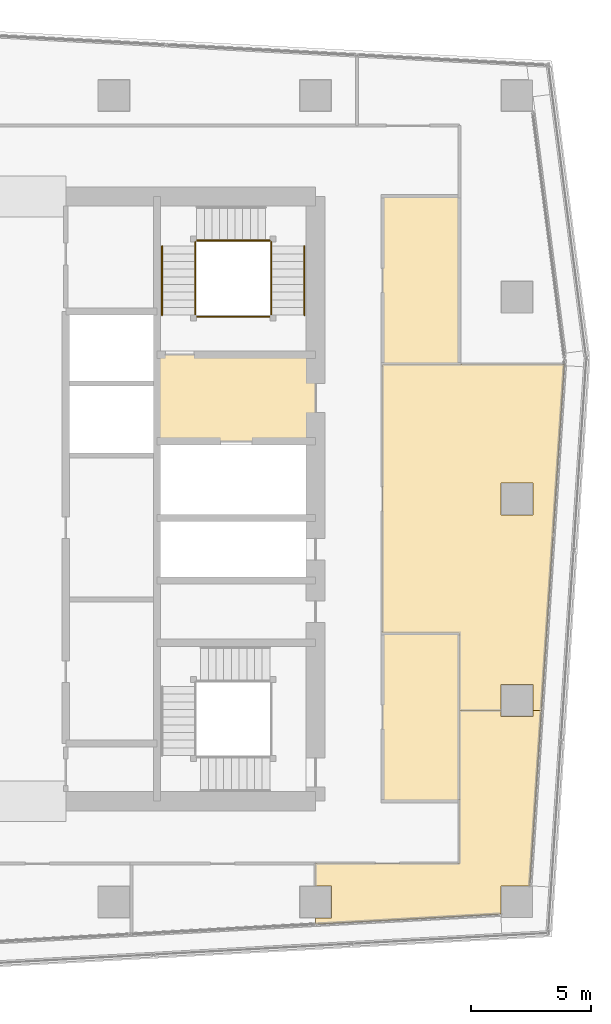
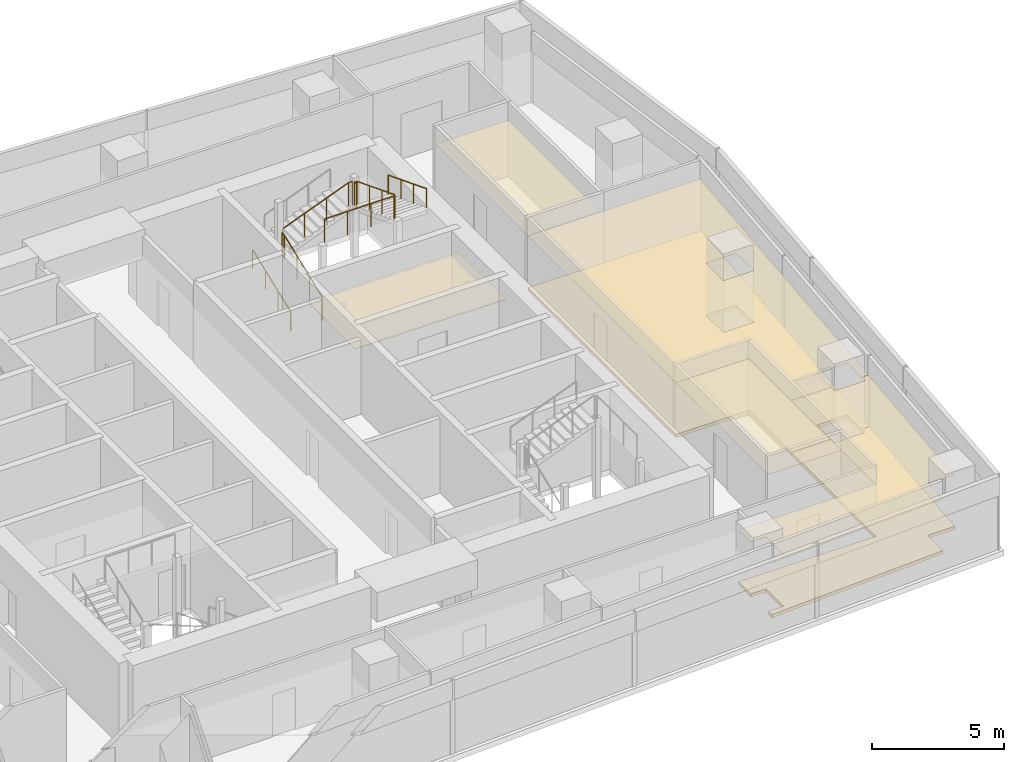
# One storey, part 29 of 30: 9 railings, 7 coverings.
"""IFC4 building model written with IfcOpenShell, lengths in metres."""

import ifcopenshell
import ifcopenshell.guid

model = None  # the IFC model being written
_history = None  # IfcOwnerHistory: only IFC2X3 demands one
_inside = {}  # id of a spatial element -> (the spatial element, [elements in it])
_under = {}  # id of a project, library or spatial element -> (it, [spatial elements below it])
_declared = {}  # id of a project -> (the project, [libraries it declares])
_typed = {}  # id of a type object -> (the type object, [elements of that type])
_made_of = {}  # id of a material, layer set ... -> (it, [elements and type objects made of it])


def new_model(schema):
    """Start an empty IFC model of exactly this schema.

    Asked for "IFC4X3", IfcOpenShell would pick the latest addendum, in which some entities
    have other attributes; the version numbers below select the first issue.
    IFC2X3 requires an IfcOwnerHistory on every rooted entity: one is made here for all.
    """
    global model, _history
    if schema == "IFC4X3":
        model = ifcopenshell.file(schema_version=(4, 3, 0, 0))
    else:
        model = ifcopenshell.file(schema=schema)
    _inside.clear()
    _under.clear()
    _declared.clear()
    _typed.clear()
    _made_of.clear()
    _history = None
    if model.schema == "IFC2X3":
        org = make("IfcOrganization", Name="unknown")
        user = make(
            "IfcPersonAndOrganization",
            ThePerson=make("IfcPerson", FamilyName="unknown"),
            TheOrganization=org,
        )
        app = make(
            "IfcApplication",
            ApplicationDeveloper=org,
            Version="unknown",
            ApplicationFullName="unknown",
            ApplicationIdentifier="unknown",
        )
        _history = make(
            "IfcOwnerHistory",
            OwningUser=user,
            OwningApplication=app,
            ChangeAction="ADDED",
            CreationDate=0,
        )
    return model


def make(cls, **values):
    """One entity of the class cls with the attributes given. An attribute that is None is left unset."""
    return model.create_entity(
        cls, **{name: value for name, value in values.items() if value is not None}
    )


def rooted(cls, **values):
    """An entity with a GlobalId (a new one), such as an element, a storey or a relation."""
    return make(cls, GlobalId=ifcopenshell.guid.new(), OwnerHistory=_history, **values)


def si_unit(unit_type, name, prefix=None):
    """IfcSIUnit, for example si_unit("LENGTHUNIT", "METRE", prefix="MILLI")."""
    return make("IfcSIUnit", UnitType=unit_type, Prefix=prefix, Name=name)


def assignment(units):
    """IfcUnitAssignment: the units of a project."""
    return None if units is None else make("IfcUnitAssignment", Units=units)


def point(xyz):
    """IfcCartesianPoint."""
    return None if xyz is None else make("IfcCartesianPoint", Coordinates=xyz)


def direction(xyz):
    """IfcDirection."""
    return None if xyz is None else make("IfcDirection", DirectionRatios=xyz)


def frame(location, z_axis=None, x_axis=None):
    """IfcAxis2Placement3D, a coordinate frame: its origin and axes. An axis left out is left unset."""
    return make(
        "IfcAxis2Placement3D",
        Location=point(location),
        Axis=direction(z_axis),
        RefDirection=direction(x_axis),
    )


def frame_2d(location, x_axis=None):
    """IfcAxis2Placement2D, a coordinate frame in the plane: its origin and x axis."""
    return make(
        "IfcAxis2Placement2D", Location=point(location), RefDirection=direction(x_axis)
    )


def origin():
    """The frame at (0, 0, 0) with its axes left unset."""
    return frame((0.0, 0.0, 0.0))


def origin_2d():
    """The frame at (0, 0) in the plane with its x axis left unset."""
    return frame_2d((0.0, 0.0))


def place(relative_to, where):
    """IfcLocalPlacement: puts the frame where relative to a parent placement (None: the world)."""
    return make(
        "IfcLocalPlacement", PlacementRelTo=relative_to, RelativePlacement=where
    )


def context(
    kind, dimensions, precision=None, world=None, true_north=None, identifier=None
):
    """IfcGeometricRepresentationContext, for example the 3D "Model" context."""
    return make(
        "IfcGeometricRepresentationContext",
        ContextIdentifier=identifier,
        ContextType=kind,
        CoordinateSpaceDimension=dimensions,
        Precision=precision,
        WorldCoordinateSystem=world,
        TrueNorth=true_north,
    )


def subcontext(parent, identifier, kind, view, scale=None):
    """IfcGeometricRepresentationSubContext, for example "Body" below "Model"."""
    return make(
        "IfcGeometricRepresentationSubContext",
        ContextIdentifier=identifier,
        ContextType=kind,
        ParentContext=parent,
        TargetScale=scale,
        TargetView=view,
    )


def project(units=None, contexts=None):
    """IfcProject with its units and contexts."""
    return rooted(
        "IfcProject",
        Name="project",
        RepresentationContexts=contexts,
        UnitsInContext=assignment(units),
    )


def spatial(cls, under=None, at=None, **own):
    """A site, building, storey or space (cls), placed at a placement, below another one or the project."""
    s = rooted(cls, ObjectPlacement=at, **own)
    if under is not None:
        _under.setdefault(under.id(), (under, []))[1].append(s)
    return s


def polyline(points):
    """IfcPolyline through the points."""
    return make("IfcPolyline", Points=[point(p) for p in points])


def profile(cls, at=None, kind="AREA", **sizes):
    """A parametric profile (cls). Its sizes go by their IFC names, for example OverallWidth=200.0."""
    return make(cls, ProfileType=kind, Position=at, **sizes)


def circle(**sizes):
    """IfcCircleProfileDef."""
    return profile("IfcCircleProfileDef", **sizes)


def outline(outer, holes=None, kind="AREA"):
    """IfcArbitraryClosedProfileDef: a profile drawn as a closed curve; with holes, ...WithVoids."""
    if holes is None:
        return make("IfcArbitraryClosedProfileDef", ProfileType=kind, OuterCurve=outer)
    return make(
        "IfcArbitraryProfileDefWithVoids",
        ProfileType=kind,
        OuterCurve=outer,
        InnerCurves=holes,
    )


def extrude(swept, where, along, depth):
    """IfcExtrudedAreaSolid: the profile swept, set in the frame where, extruded along a direction by depth."""
    return make(
        "IfcExtrudedAreaSolid",
        SweptArea=swept,
        Position=where,
        ExtrudedDirection=direction(along),
        Depth=depth,
    )


def shape(context_of_items, identifier, shape_type, items):
    """IfcShapeRepresentation: the items that make up one representation, for example the "Body"."""
    return make(
        "IfcShapeRepresentation",
        ContextOfItems=context_of_items,
        RepresentationIdentifier=identifier,
        RepresentationType=shape_type,
        Items=items,
    )


def material(Name=None, Category=None):
    """IfcMaterial."""
    return make("IfcMaterial", Name=Name, Category=Category)


def layer(
    of_material, thickness, ventilated=None, Name=None, Category=None, Priority=None
):
    """IfcMaterialLayer: one layer of a wall or slab, of a material (None: an air gap)."""
    return make(
        "IfcMaterialLayer",
        Material=of_material,
        LayerThickness=thickness,
        IsVentilated=ventilated,
        Name=Name,
        Category=Category,
        Priority=Priority,
    )


def layer_set(layers, Name=None):
    """IfcMaterialLayerSet."""
    return make("IfcMaterialLayerSet", MaterialLayers=layers, LayerSetName=Name)


def made_of(thing, what):
    """Note that an element or type object is made of a material, layer set ...; save() writes the relation."""
    if what is not None:
        _made_of.setdefault(what.id(), (what, []))[1].append(thing)
    return thing


def type_object(cls, material=None, **own):
    """A type object (cls), such as IfcWallType, which elements share."""
    return made_of(rooted(cls, **own), material)


def element(
    cls,
    number,
    at=None,
    inside=None,
    cuts=None,
    type_object=None,
    material=None,
    context=None,
    identifier="Body",
    shape_type=None,
    held_by="IfcProductDefinitionShape",
    body=None,
    shapes=None,
    **own,
):
    """One element of the class cls, such as IfcWall. Its Tag is "e" and its number.

    at: its placement. inside: the storey or other place that contains it. cuts: it is an
    opening in that element (IfcRelVoidsElement). A single representation is given by context,
    identifier, shape_type and body (its items); several are given by shapes. held_by: the class
    of the entity that holds the representations. save() writes the other relations.
    """
    e = rooted(cls, Tag="e%d" % number, ObjectPlacement=at, **own)
    if body is not None:
        shapes = [shape(context, identifier, shape_type, body)]
    if shapes is not None:
        e.Representation = make(held_by, Representations=shapes)
    if inside is not None:
        _inside.setdefault(inside.id(), (inside, []))[1].append(e)
    if cuts is not None:
        rooted(
            "IfcRelVoidsElement", RelatingBuildingElement=cuts, RelatedOpeningElement=e
        )
    if type_object is not None:
        _typed.setdefault(type_object.id(), (type_object, []))[1].append(e)
    return made_of(e, material)


def aggregate(whole, parts):
    """IfcRelAggregates: a whole, such as a stair, and the parts it consists of."""
    return rooted("IfcRelAggregates", RelatingObject=whole, RelatedObjects=parts)


def save(model, path):
    """Write the relations noted so far, then the file.

    IfcRelAggregates (storeys below a building ...), IfcRelContainedInSpatialStructure (elements
    in a storey), IfcRelDefinesByType, IfcRelAssociatesMaterial and IfcRelDeclares: one each for
    every whole, place, type object, material and project.
    """
    for whole, parts in _under.values():
        aggregate(whole, parts)
    for where, things in _inside.values():
        rooted(
            "IfcRelContainedInSpatialStructure",
            RelatedElements=things,
            RelatingStructure=where,
        )
    for kind, things in _typed.values():
        rooted("IfcRelDefinesByType", RelatedObjects=things, RelatingType=kind)
    for what, things in _made_of.values():
        rooted("IfcRelAssociatesMaterial", RelatedObjects=things, RelatingMaterial=what)
    for by, libraries in _declared.values():
        rooted("IfcRelDeclares", RelatingContext=by, RelatedDefinitions=libraries)
    model.write(path)


model = new_model("IFC4")

# Units and contexts
model_context = context("Model", 3, precision=1e-05, world=origin(), true_north=direction((0.0, 1.0)))
body_context = subcontext(model_context, "Body", "Model", "MODEL_VIEW")
ifc_project = project(units=[si_unit("LENGTHUNIT", "METRE"), si_unit("AREAUNIT", "SQUARE_METRE"), si_unit("VOLUMEUNIT", "CUBIC_METRE"), si_unit("PLANEANGLEUNIT", "RADIAN"), si_unit("MASSUNIT", "GRAM", prefix="KILO")], contexts=[model_context])

# Site, building, storey
site_placement = place(None, origin())
site = spatial("IfcSite", under=ifc_project, at=site_placement, CompositionType="ELEMENT")
building_placement = place(site_placement, origin())
building = spatial("IfcBuilding", under=site, at=building_placement, Name="Rekha Terrace Tower", CompositionType="ELEMENT")
storey_placement = place(building_placement, frame((0.0, 0.0, 287.60009765625)))
storey = spatial("IfcBuildingStorey", under=building, at=storey_placement, Name="L73", CompositionType="ELEMENT", Elevation=287.60009765625)

# Coverings
ifc_material_1 = material(Name="Mineral fibre tile in exposed grid", Category="finish")
ifc_layer_1 = layer(ifc_material_1, 0.02001953125)
ifc_layer_set_1 = layer_set([ifc_layer_1], Name="Mineral fibre tile in exposed grid")
covering_type_1 = type_object("IfcCoveringType", Name="CL1 600x1200 office grid ceiling", PredefinedType="CEILING", material=ifc_layer_set_1)
covering_1_placement = place(storey_placement, frame((0.0, 0.0, 2.52978515625)))
element("IfcCovering", 1, at=covering_1_placement, inside=storey, type_object=covering_type_1, Name="Ceiling L73-03", PredefinedType="CEILING", context=body_context, shape_type="SweptSolid", body=[
    extrude(outline(polyline([(58.135009765625, 17.465087890625), (59.327880859375, 17.465087890625), (59.81396484375, 24.785888671875), (59.465087890625, 24.785888671875), (59.465087890625, 24.534912109375), (58.135009765625, 24.534912109375), (58.135009765625, 24.785888671875), (56.39990234375, 24.785888671875), (56.39990234375, 18.39990234375), (50.39990234375, 18.39990234375), (50.39990234375, 17.465087890625), (51.06494140625, 17.465087890625), (51.06494140625, 16.135009765625), (50.39990234375, 16.135009765625), (50.39990234375, 15.875), (58.135009765625, 16.2958984375), (58.135009765625, 17.465087890625)])), origin(), (0.0, 0.0, 1.0), 0.02001953125),
])
covering_2_placement = place(storey_placement, frame((0.0, 0.0, 2.52978515625)))
element("IfcCovering", 2, at=covering_2_placement, inside=storey, type_object=covering_type_1, Name="Ceiling L73-04", PredefinedType="CEILING", context=body_context, shape_type="SweptSolid", body=[
    extrude(outline(polyline([(60.77099609375, 39.199951171875), (53.199951171875, 39.199951171875), (53.199951171875, 28.0), (56.39990234375, 28.0), (56.39990234375, 24.787109375), (58.135009765625, 24.787109375), (58.135009765625, 25.864990234375), (59.465087890625, 25.864990234375), (59.465087890625, 24.787109375), (59.81494140625, 24.787109375), (60.300048828125, 32.096923828125), (60.77099609375, 39.199951171875)]), holes=[polyline([(59.465087890625, 34.264892578125), (59.465087890625, 32.93505859375), (58.135009765625, 32.93505859375), (58.135009765625, 34.264892578125), (59.465087890625, 34.264892578125)])]), origin(), (0.0, 0.0, 1.0), 0.02001953125),
])
ifc_material_2 = material(Name="Fibre cement board", Category="finish")
ifc_layer_2 = layer(ifc_material_2, 0.014892578125)
ifc_layer_set_2 = layer_set([ifc_layer_2], Name="Fibre cement board")
covering_type_2 = type_object("IfcCoveringType", Name="CL2 moisture-resistant board ceiling", PredefinedType="CEILING", material=ifc_layer_set_2)
covering_3_placement = place(storey_placement, frame((0.0, 0.0, 2.534912109375)))
element("IfcCovering", 3, at=covering_3_placement, inside=storey, type_object=covering_type_2, Name="Ceiling L73-WCF", PredefinedType="CEILING", context=body_context, shape_type="SweptSolid", body=[
    extrude(outline(polyline([(56.39990234375, 46.199951171875), (53.199951171875, 46.199951171875), (53.199951171875, 39.199951171875), (56.39990234375, 39.199951171875), (56.39990234375, 46.199951171875)])), origin(), (0.0, 0.0, 1.0), 0.014892578125),
])
covering_4_placement = place(storey_placement, frame((0.0, 0.0, 2.534912109375)))
element("IfcCovering", 4, at=covering_4_placement, inside=storey, type_object=covering_type_2, Name="Ceiling L73-WCM2", PredefinedType="CEILING", context=body_context, shape_type="SweptSolid", body=[
    extrude(outline(polyline([(56.39990234375, 28.0), (53.199951171875, 28.0), (53.199951171875, 21.0), (56.39990234375, 21.0), (56.39990234375, 28.0)])), origin(), (0.0, 0.0, 1.0), 0.014892578125),
])
ifc_material_3 = material(Name="Powder-coated aluminium pan", Category="aluminium")
ifc_layer_3 = layer(ifc_material_3, 0.030029296875)
ifc_layer_set_3 = layer_set([ifc_layer_3], Name="Powder-coated aluminium pan")
covering_type_3 = type_object("IfcCoveringType", Name="CL3 300x1200 metal pan ceiling", PredefinedType="CEILING", material=ifc_layer_set_3)
covering_5_placement = place(storey_placement, frame((0.0, 0.0, 2.52001953125)))
element("IfcCovering", 5, at=covering_5_placement, inside=storey, type_object=covering_type_3, Name="Ceiling L73-FLB2", PredefinedType="CEILING", context=body_context, shape_type="SweptSolid", body=[
    extrude(outline(polyline([(50.39990234375, 39.60009765625), (43.800048828125, 39.60009765625), (43.800048828125, 36.0), (50.39990234375, 36.0), (50.39990234375, 39.60009765625)])), origin(), (0.0, 0.0, 1.0), 0.02978515625),
])

# Railings
ifc_material_4 = material(Name="Stainless steel balustrade", Category="steel")
railing_type_1 = type_object("IfcRailingType", Name="GR1 1100 stair guard", PredefinedType="GUARDRAIL", material=ifc_material_4)
railing_1_placement = place(storey_placement, frame((45.389892578125, 41.25, 0.125)))
element("IfcRailing", 6, at=railing_1_placement, inside=storey, type_object=railing_type_1, Name="Guard ST2 L73 flight 1", PredefinedType="GUARDRAIL", context=body_context, shape_type="SweptSolid", body=[
    extrude(circle(Radius=0.02392578125, at=origin_2d()), frame((0.0, 0.0, 1.076171875), z_axis=(0.0, 0.931452331594, 0.363863372667), x_axis=(-1.0, 0.0, 0.0)), (0.0, 0.0, 1.0), 3.091796875),
    extrude(circle(Radius=0.02099609375, at=origin_2d()), origin(), (0.0, 0.0, 1.0), 1.052001953125),
    extrude(circle(Radius=0.02099609375, at=origin_2d()), frame((0.0, 0.9599609375, 0.375)), (0.0, 0.0, 1.0), 1.052001953125),
    extrude(circle(Radius=0.02099609375, at=origin_2d()), frame((0.0, 1.919921875, 0.75)), (0.0, 0.0, 1.0), 1.052001953125),
    extrude(circle(Radius=0.02099609375, at=origin_2d()), frame((0.0, 2.8798828125, 1.125)), (0.0, 0.0, 1.0), 1.052001953125),
])
railing_2_placement = place(storey_placement, frame((45.449951171875, 44.360107421875, 1.375)))
element("IfcRailing", 7, at=railing_2_placement, inside=storey, type_object=railing_type_1, Name="Guard ST2 L73 flight 2", PredefinedType="GUARDRAIL", context=body_context, shape_type="SweptSolid", body=[
    extrude(circle(Radius=0.02392578125, at=origin_2d()), frame((0.0, 0.0, 1.076171875), z_axis=(0.931462784923, 0.0, 0.363836612098), x_axis=(0.0, 1.0, 0.0)), (0.0, 0.0, 1.0), 3.092041015625),
    extrude(circle(Radius=0.02099609375, at=origin_2d()), origin(), (0.0, 0.0, 1.0), 1.052001953125),
    extrude(circle(Radius=0.02099609375, at=origin_2d()), frame((0.9599609375, 0.0, 0.375)), (0.0, 0.0, 1.0), 1.052001953125),
    extrude(circle(Radius=0.02099609375, at=origin_2d()), frame((1.920166015625, 0.0, 0.75)), (0.0, 0.0, 1.0), 1.052001953125),
    extrude(circle(Radius=0.02099609375, at=origin_2d()), frame((2.880126953125, 0.0, 1.125)), (0.0, 0.0, 1.0), 1.052001953125),
])
railing_3_placement = place(storey_placement, frame((48.56005859375, 44.1298828125, 2.625)))
element("IfcRailing", 8, at=railing_3_placement, inside=storey, type_object=railing_type_1, Name="Guard ST2 L73 flight 3", PredefinedType="GUARDRAIL", context=body_context, shape_type="SweptSolid", body=[
    extrude(circle(Radius=0.02392578125, at=origin_2d()), frame((0.0, 0.0, 1.076171875), z_axis=(0.0, -0.931452331594, 0.363863372667), x_axis=(1.0, 0.0, 0.0)), (0.0, 0.0, 1.0), 3.091796875),
    extrude(circle(Radius=0.02099609375, at=origin_2d()), origin(), (0.0, 0.0, 1.0), 1.052001953125),
    extrude(circle(Radius=0.02099609375, at=origin_2d()), frame((0.0, -0.9599609375, 0.375)), (0.0, 0.0, 1.0), 1.052001953125),
    extrude(circle(Radius=0.02099609375, at=origin_2d()), frame((0.0, -1.919921875, 0.75)), (0.0, 0.0, 1.0), 1.052001953125),
    extrude(circle(Radius=0.02099609375, at=origin_2d()), frame((0.0, -2.8798828125, 1.125)), (0.0, 0.0, 1.0), 1.052001953125),
])
railing_4_placement = place(storey_placement, frame((45.389892578125, 44.1298828125, 1.25)))
element("IfcRailing", 9, at=railing_4_placement, inside=storey, type_object=railing_type_1, Name="Guard ST2 L73 landing 1", PredefinedType="GUARDRAIL", context=body_context, shape_type="SweptSolid", body=[
    extrude(circle(Radius=0.02392578125, at=origin_2d()), frame((0.0, 0.0, 1.076171875), z_axis=(0.0, 1.0, 0.0), x_axis=(-1.0, 0.0, 0.0)), (0.0, 0.0, 1.0), 0.170166015625),
    extrude(circle(Radius=0.02099609375, at=origin_2d()), origin(), (0.0, 0.0, 1.0), 1.052001953125),
    extrude(circle(Radius=0.02099609375, at=origin_2d()), frame((0.0, 0.170166015625, 0.0)), (0.0, 0.0, 1.0), 1.052001953125),
])
railing_5_placement = place(storey_placement, frame((48.330078125, 44.360107421875, 2.5)))
element("IfcRailing", 10, at=railing_5_placement, inside=storey, type_object=railing_type_1, Name="Guard ST2 L73 landing 2", PredefinedType="GUARDRAIL", context=body_context, shape_type="SweptSolid", body=[
    extrude(circle(Radius=0.02392578125, at=origin_2d()), frame((0.0, 0.0, 1.076171875), z_axis=(1.0, 0.0, 0.0), x_axis=(0.0, 1.0, 0.0)), (0.0, 0.0, 1.0), 0.169921875),
    extrude(circle(Radius=0.02099609375, at=origin_2d()), origin(), (0.0, 0.0, 1.0), 1.052001953125),
    extrude(circle(Radius=0.02099609375, at=origin_2d()), frame((0.169921875, 0.0, 0.0)), (0.0, 0.0, 1.0), 1.052001953125),
])
railing_6_placement = place(storey_placement, frame((48.56005859375, 44.1298828125, 2.5)))
element("IfcRailing", 11, at=railing_6_placement, inside=storey, type_object=railing_type_1, Name="Guard ST2 L73 landing 3", PredefinedType="GUARDRAIL", context=body_context, shape_type="SweptSolid", body=[
    extrude(circle(Radius=0.02392578125, at=origin_2d()), frame((0.0, 0.0, 1.076171875), z_axis=(0.0, 1.0, 0.0), x_axis=(-1.0, 0.0, 0.0)), (0.0, 0.0, 1.0), 0.170166015625),
    extrude(circle(Radius=0.02099609375, at=origin_2d()), origin(), (0.0, 0.0, 1.0), 1.052001953125),
    extrude(circle(Radius=0.02099609375, at=origin_2d()), frame((0.0, 0.170166015625, 0.0)), (0.0, 0.0, 1.0), 1.052001953125),
])
railing_7_placement = place(storey_placement, frame((45.449951171875, 41.18994140625, 3.75)))
element("IfcRailing", 12, at=railing_7_placement, inside=storey, type_object=railing_type_1, Name="Guard ST2 L73 landing 4", PredefinedType="GUARDRAIL", context=body_context, shape_type="SweptSolid", body=[
    extrude(circle(Radius=0.02392578125, at=origin_2d()), frame((0.0, 0.0, 1.076171875), z_axis=(1.0, 0.0, 0.0), x_axis=(0.0, 1.0, 0.0)), (0.0, 0.0, 1.0), 3.050048828125),
    extrude(circle(Radius=0.02099609375, at=origin_2d()), origin(), (0.0, 0.0, 1.0), 1.052001953125),
    extrude(circle(Radius=0.02099609375, at=origin_2d()), frame((1.0166015625, 0.0, 0.0)), (0.0, 0.0, 1.0), 1.052001953125),
    extrude(circle(Radius=0.02099609375, at=origin_2d()), frame((2.033447265625, 0.0, 0.0)), (0.0, 0.0, 1.0), 1.052001953125),
    extrude(circle(Radius=0.02099609375, at=origin_2d()), frame((3.050048828125, 0.0, 0.0)), (0.0, 0.0, 1.0), 1.052001953125),
])
ifc_material_5 = material(Name="Stainless steel tube", Category="steel")
railing_type_2 = type_object("IfcRailingType", Name="HR1 900 stair handrail", PredefinedType="HANDRAIL", material=ifc_material_5)
railing_8_placement = place(storey_placement, frame((44.010009765625, 41.25, 0.125)))
element("IfcRailing", 13, at=railing_8_placement, inside=storey, type_object=railing_type_2, Name="Handrail ST2 L73 flight 1", PredefinedType="HANDRAIL", context=body_context, shape_type="SweptSolid", body=[
    extrude(circle(Radius=0.02392578125, at=origin_2d()), frame((0.0, 0.0, 0.8759765625), z_axis=(0.0, 0.931452331594, 0.363863372667), x_axis=(-1.0, 0.0, 0.0)), (0.0, 0.0, 1.0), 3.091796875),
    extrude(circle(Radius=0.02099609375, at=origin_2d()), origin(), (0.0, 0.0, 1.0), 0.851806640625),
    extrude(circle(Radius=0.02099609375, at=origin_2d()), frame((0.0, 0.9599609375, 0.375)), (0.0, 0.0, 1.0), 0.851806640625),
    extrude(circle(Radius=0.02099609375, at=origin_2d()), frame((0.0, 1.919921875, 0.75)), (0.0, 0.0, 1.0), 0.851806640625),
    extrude(circle(Radius=0.02099609375, at=origin_2d()), frame((0.0, 2.8798828125, 1.125)), (0.0, 0.0, 1.0), 0.851806640625),
])
railing_9_placement = place(storey_placement, frame((49.93994140625, 44.1298828125, 2.625)))
element("IfcRailing", 14, at=railing_9_placement, inside=storey, type_object=railing_type_2, Name="Handrail ST2 L73 flight 3", PredefinedType="HANDRAIL", context=body_context, shape_type="SweptSolid", body=[
    extrude(circle(Radius=0.02392578125, at=origin_2d()), frame((0.0, 0.0, 0.8759765625), z_axis=(0.0, -0.931452331594, 0.363863372667), x_axis=(1.0, 0.0, 0.0)), (0.0, 0.0, 1.0), 3.091796875),
    extrude(circle(Radius=0.02099609375, at=origin_2d()), origin(), (0.0, 0.0, 1.0), 0.851806640625),
    extrude(circle(Radius=0.02099609375, at=origin_2d()), frame((0.0, -0.9599609375, 0.375)), (0.0, 0.0, 1.0), 0.851806640625),
    extrude(circle(Radius=0.02099609375, at=origin_2d()), frame((0.0, -1.919921875, 0.75)), (0.0, 0.0, 1.0), 0.851806640625),
    extrude(circle(Radius=0.02099609375, at=origin_2d()), frame((0.0, -2.8798828125, 1.125)), (0.0, 0.0, 1.0), 0.851806640625),
])

# Coverings
ifc_material_6 = material(Name="Calcium sulphate panels on steel pedestals", Category="steel")
ifc_layer_4 = layer(ifc_material_6, 0.14990234375)
ifc_layer_set_4 = layer_set([ifc_layer_4], Name="Calcium sulphate panels on steel pedestals")
covering_type_4 = type_object("IfcCoveringType", Name="RF1 150 raised access floor", PredefinedType="FLOORING", material=ifc_layer_set_4)
covering_6_placement = place(storey_placement, origin())
element("IfcCovering", 15, at=covering_6_placement, inside=storey, type_object=covering_type_4, Name="Raised floor L73-03", PredefinedType="FLOORING", context=body_context, shape_type="SweptSolid", body=[
    extrude(outline(polyline([(58.135009765625, 17.465087890625), (59.327880859375, 17.465087890625), (59.81396484375, 24.785888671875), (59.465087890625, 24.785888671875), (59.465087890625, 24.534912109375), (58.135009765625, 24.534912109375), (58.135009765625, 24.785888671875), (56.39990234375, 24.785888671875), (56.39990234375, 18.39990234375), (50.39990234375, 18.39990234375), (50.39990234375, 17.465087890625), (51.06494140625, 17.465087890625), (51.06494140625, 16.135009765625), (50.39990234375, 16.135009765625), (50.39990234375, 15.875), (58.135009765625, 16.2958984375), (58.135009765625, 17.465087890625)])), origin(), (0.0, 0.0, 1.0), 0.14990234375),
])
covering_7_placement = place(storey_placement, origin())
element("IfcCovering", 16, at=covering_7_placement, inside=storey, type_object=covering_type_4, Name="Raised floor L73-04", PredefinedType="FLOORING", context=body_context, shape_type="SweptSolid", body=[
    extrude(outline(polyline([(60.77099609375, 39.199951171875), (53.199951171875, 39.199951171875), (53.199951171875, 28.0), (56.39990234375, 28.0), (56.39990234375, 24.787109375), (58.135009765625, 24.787109375), (58.135009765625, 25.864990234375), (59.465087890625, 25.864990234375), (59.465087890625, 24.787109375), (59.81494140625, 24.787109375), (60.300048828125, 32.096923828125), (60.77099609375, 39.199951171875)]), holes=[polyline([(59.465087890625, 34.264892578125), (59.465087890625, 32.93505859375), (58.135009765625, 32.93505859375), (58.135009765625, 34.264892578125), (59.465087890625, 34.264892578125)])]), origin(), (0.0, 0.0, 1.0), 0.14990234375),
])

save(model, "model.ifc")
